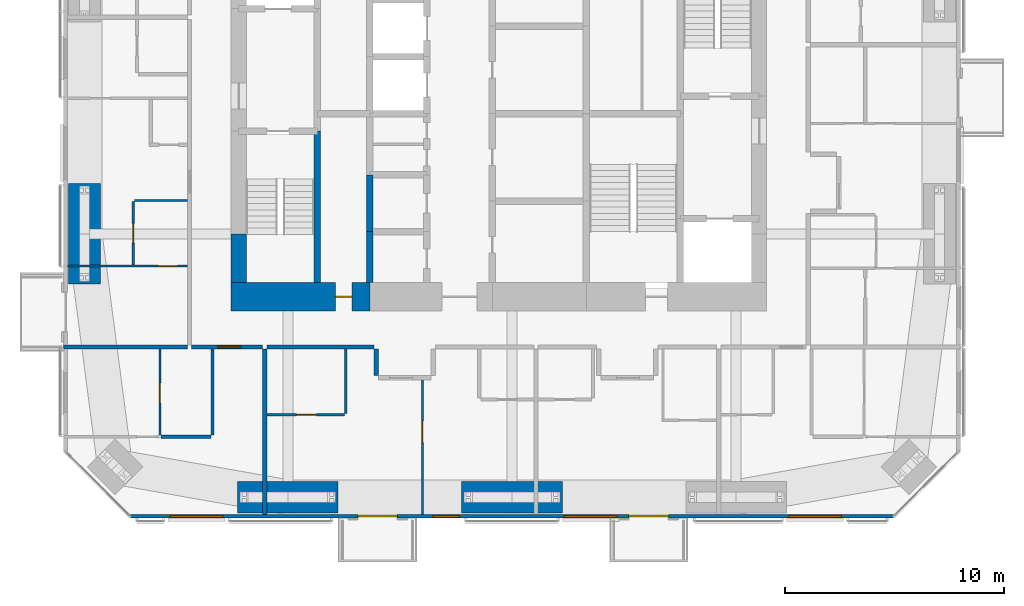
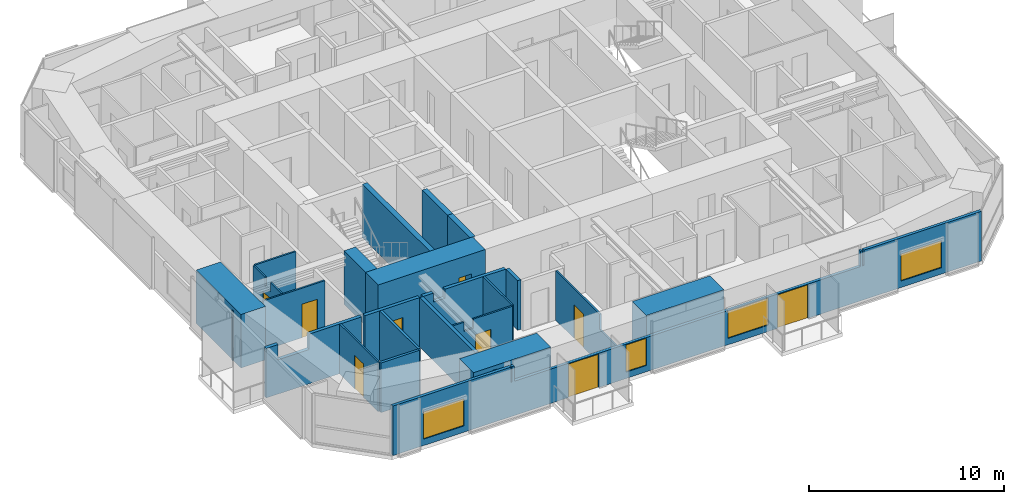
# One storey, part 15 of 23: 23 walls, 9 doors, 4 windows, 13 openings.
"""IFC4 building model written with IfcOpenShell, lengths in metres."""

from ifc_helpers import new_model, si_unit, direction, frame, frame_2d, origin, place, context, subcontext, project, spatial, polyline, rectangle, outline, extrude, material, layer, layer_set, constituent, constituent_set, type_object, element, fill, save


model = new_model("IFC4")

# Units and contexts
model_context = context("Model", 3, precision=1e-05, world=origin(), true_north=direction((0.0, 1.0)))
body_context = subcontext(model_context, "Body", "Model", "MODEL_VIEW")
ifc_project = project(units=[si_unit("LENGTHUNIT", "METRE"), si_unit("AREAUNIT", "SQUARE_METRE"), si_unit("VOLUMEUNIT", "CUBIC_METRE"), si_unit("PLANEANGLEUNIT", "RADIAN"), si_unit("MASSUNIT", "GRAM", prefix="KILO")], contexts=[model_context])

# Site, building, storey
site_placement = place(None, origin())
site = spatial("IfcSite", under=ifc_project, at=site_placement, CompositionType="ELEMENT")
building_placement = place(site_placement, origin())
building = spatial("IfcBuilding", under=site, at=building_placement, Name="Jalousie Tower", CompositionType="ELEMENT")
storey_placement = place(building_placement, frame((0.0, 0.0, 164.39990234375)))
storey = spatial("IfcBuildingStorey", under=building, at=storey_placement, Name="L44", CompositionType="ELEMENT", Elevation=164.39990234375)

# Walls
ifc_material_1 = material(Name="Concrete block ASTM C90", Category="concrete")
ifc_constituent_1 = constituent(ifc_material_1, Name="Body")
ifc_material_2 = material(Name="Render")
ifc_constituent_2 = constituent(ifc_material_2, Name="Finish")
ifc_constituent_set_1 = constituent_set(constituents=[ifc_constituent_1, ifc_constituent_2])
wall_type_1 = type_object("IfcWallType", Name="BATHROOM WALL 150", PredefinedType="PLUMBINGWALL", material=ifc_constituent_set_1)
wall_1_placement = place(storey_placement, frame((18.72509765625, 3.72119140625, 0.0), z_axis=(0.0, 0.0, 1.0), x_axis=(-1.0, 0.0, 0.0)))
element("IfcWall", 1, at=wall_1_placement, inside=storey, type_object=wall_type_1, Name="Bathroom Wall 150 L44", PredefinedType="PLUMBINGWALL", context=body_context, shape_type="SweptSolid", body=[
    extrude(rectangle(XDim=2.275146484375, YDim=0.14990234375, at=frame_2d((1.1376953125, 0.0))), origin(), (0.0, 0.0, 1.0), 3.110107421875),
])
wall_2_placement = place(storey_placement, frame((18.800048828125, 3.79638671875, 0.0), z_axis=(0.0, 0.0, 1.0), x_axis=(0.0, 1.0, 0.0)))
element("IfcWall", 2, at=wall_2_placement, inside=storey, type_object=wall_type_1, Name="Bathroom Wall 150 L44", PredefinedType="PLUMBINGWALL", context=body_context, shape_type="SweptSolid", body=[
    extrude(rectangle(XDim=3.9287109375, YDim=0.14990234375, at=frame_2d((1.96435546875, 0.0))), origin(), (0.0, 0.0, 1.0), 3.110107421875),
])

# Wall, opening, door
ifc_material_3 = material(Name="Concrete f'c 120 MPa", Category="concrete")
ifc_layer_1 = layer(ifc_material_3, 1.300048828125)
ifc_layer_set_1 = layer_set([ifc_layer_1], Name="Concrete f'c 120 MPa")
wall_type_2 = type_object("IfcWallType", Name="CORE WALL 1300", PredefinedType="SHEAR", material=ifc_layer_set_1)
wall_3_placement = place(storey_placement, frame((19.64990234375, 10.125, 0.0), z_axis=(0.0, 0.0, 1.0), x_axis=(1.0, 0.0, 0.0)))
wall_3 = element("IfcWall", 3, at=wall_3_placement, inside=storey, type_object=wall_type_2, Name="Core wall SA L44", PredefinedType="SHEAR", context=body_context, shape_type="SweptSolid", body=[
    extrude(rectangle(XDim=6.35009765625, YDim=1.300048828125, at=frame_2d((3.175048828125, 0.0))), origin(), (0.0, 0.0, 1.0), 3.35009765625),
])
opening_1_placement = place(wall_3_placement, frame((4.77490234375, 0.0, 0.0)))
opening_1 = element("IfcOpeningElement", 4, at=opening_1_placement, cuts=wall_3, Name="Opening D16", PredefinedType="OPENING", context=body_context, shape_type="SweptSolid", body=[
    extrude(rectangle(XDim=0.75, YDim=2.10009765625, at=frame_2d((0.375, 1.050048828125))), frame((0.0, 0.659912109375, 0.0), z_axis=(0.0, -1.0, 0.0), x_axis=(1.0, 0.0, 0.0)), (0.0, 0.0, 1.0), 1.320068359375),
])
ifc_material_4 = material(Name="Steel fire door", Category="steel")
door_type_1 = type_object("IfcDoorType", Name="RISER DOOR 750", OperationType="SINGLE_SWING_LEFT", PredefinedType="DOOR", material=ifc_material_4)
door_1_placement = place(opening_1_placement, origin())
door_1 = element("IfcDoor", 5, at=door_1_placement, inside=storey, type_object=door_type_1, Name="South riser door", OperationType="SINGLE_SWING_LEFT", OverallHeight=2.10009765625, OverallWidth=0.75, PredefinedType="DOOR", context=body_context, shape_type="SweptSolid", body=[
    extrude(rectangle(XDim=0.75, YDim=2.10009765625, at=frame_2d((0.375, 1.050048828125))), frame((0.0, 0.02490234375, 0.0), z_axis=(0.0, -1.0, 0.0), x_axis=(1.0, 0.0, 0.0)), (0.0, 0.0, 1.0), 0.050048828125),
])
fill(opening_1, door_1)

# Walls
ifc_material_5 = material(Name="Concrete f'c 120 MPa", Category="concrete")
ifc_layer_2 = layer(ifc_material_5, 0.300048828125)
ifc_layer_set_2 = layer_set([ifc_layer_2], Name="Concrete f'c 120 MPa")
wall_type_3 = type_object("IfcWallType", Name="CORE WALL 300", PredefinedType="SHEAR", material=ifc_layer_set_2)
wall_4_placement = place(storey_placement, frame((23.60009765625, 10.77490234375, 0.0), z_axis=(0.0, 0.0, 1.0), x_axis=(0.0, 1.0, 0.0)))
element("IfcWall", 6, at=wall_4_placement, inside=storey, type_object=wall_type_3, Name="Core wall X23.6A L44", PredefinedType="SHEAR", context=body_context, shape_type="SweptSolid", body=[
    extrude(rectangle(XDim=6.925048828125, YDim=0.300048828125, at=frame_2d((3.46240234375, 0.0))), origin(), (0.0, 0.0, 1.0), 3.35009765625),
])
wall_5_placement = place(storey_placement, frame((26.0, 10.77490234375, 0.0), z_axis=(0.0, 0.0, 1.0), x_axis=(0.0, 1.0, 0.0)))
element("IfcWall", 7, at=wall_5_placement, inside=storey, type_object=wall_type_3, Name="Core wall X26A L44", PredefinedType="SHEAR", context=body_context, shape_type="SweptSolid", body=[
    extrude(rectangle(XDim=2.3251953125, YDim=0.300048828125, at=frame_2d((1.16259765625, 0.0))), origin(), (0.0, 0.0, 1.0), 3.35009765625),
])
wall_6_placement = place(storey_placement, frame((26.0, 13.10009765625, 0.0), z_axis=(0.0, 0.0, 1.0), x_axis=(0.0, 1.0, 0.0)))
element("IfcWall", 8, at=wall_6_placement, inside=storey, type_object=wall_type_3, Name="Core wall X26B L44", PredefinedType="SHEAR", context=body_context, shape_type="SweptSolid", body=[
    extrude(rectangle(XDim=2.599853515625, YDim=0.300048828125, at=frame_2d((1.2998046875, 0.0))), origin(), (0.0, 0.0, 1.0), 3.35009765625),
])
ifc_material_6 = material(Name="Concrete f'c 120 MPa", Category="concrete")
ifc_layer_3 = layer(ifc_material_6, 0.699951171875)
ifc_layer_set_3 = layer_set([ifc_layer_3], Name="Concrete f'c 120 MPa")
wall_type_4 = type_object("IfcWallType", Name="CORE WALL 700", PredefinedType="SHEAR", material=ifc_layer_set_3)
wall_7_placement = place(storey_placement, frame((20.0, 13.0, 0.0), z_axis=(0.0, 0.0, 1.0), x_axis=(0.0, -1.0, 0.0)))
element("IfcWall", 9, at=wall_7_placement, inside=storey, type_object=wall_type_4, Name="Core wall WD L44", PredefinedType="SHEAR", context=body_context, shape_type="SweptSolid", body=[
    extrude(rectangle(XDim=2.22509765625, YDim=0.699951171875, at=frame_2d((1.112548828125, 0.0))), origin(), (0.0, 0.0, 1.0), 3.35009765625),
])

# Wall, opening, door
ifc_material_7 = material(Name="Concrete block ASTM C90", Category="concrete")
ifc_constituent_3 = constituent(ifc_material_7, Name="Body")
ifc_material_8 = material(Name="Render")
ifc_constituent_4 = constituent(ifc_material_8, Name="Finish")
ifc_constituent_set_2 = constituent_set(constituents=[ifc_constituent_3, ifc_constituent_4])
wall_type_5 = type_object("IfcWallType", Name="CORRIDOR WALL 200", PredefinedType="PARTITIONING", material=ifc_constituent_set_2)
wall_8_placement = place(storey_placement, frame((17.85009765625, 7.824951171875, 0.0), z_axis=(0.0, 0.0, 1.0), x_axis=(1.0, 0.0, 0.0)))
wall_8 = element("IfcWall", 10, at=wall_8_placement, inside=storey, type_object=wall_type_5, Name="Corridor Wall 200 L44", PredefinedType="PARTITIONING", context=body_context, shape_type="SweptSolid", body=[
    extrude(rectangle(XDim=3.25, YDim=0.199951171875, at=frame_2d((1.625, 0.0))), origin(), (0.0, 0.0, 1.0), 3.110107421875),
])
opening_2_placement = place(wall_8_placement, frame((1.199951171875, 0.0, 0.0)))
opening_2 = element("IfcOpeningElement", 11, at=opening_2_placement, cuts=wall_8, Name="Opening D1", PredefinedType="OPENING", context=body_context, shape_type="SweptSolid", body=[
    extrude(rectangle(XDim=1.050048828125, YDim=2.199951171875, at=frame_2d((0.52490234375, 1.10009765625))), frame((0.0, 0.10986328125, 0.0), z_axis=(0.0, -1.0, 0.0), x_axis=(1.0, 0.0, 0.0)), (0.0, 0.0, 1.0), 0.219970703125),
])
ifc_material_9 = material(Name="Timber fire door", Category="wood")
door_type_2 = type_object("IfcDoorType", Name="APARTMENT ENTRANCE DOOR 1050", OperationType="SINGLE_SWING_LEFT", PredefinedType="DOOR", material=ifc_material_9)
door_2_placement = place(opening_2_placement, frame((1.050048828125, 0.0, 0.0), z_axis=(0.0, 0.0, 1.0), x_axis=(-1.0, 0.0, 0.0)))
door_2 = element("IfcDoor", 12, at=door_2_placement, inside=storey, type_object=door_type_2, Name="Apartment 4401 entrance", OperationType="SINGLE_SWING_RIGHT", OverallHeight=2.199951171875, OverallWidth=1.050048828125, PredefinedType="DOOR", context=body_context, shape_type="SweptSolid", body=[
    extrude(rectangle(XDim=1.050048828125, YDim=2.199951171875, at=frame_2d((0.52490234375, 1.10009765625))), frame((0.0, 0.02490234375, 0.0), z_axis=(0.0, -1.0, 0.0), x_axis=(1.0, 0.0, 0.0)), (0.0, 0.0, 1.0), 0.050048828125),
])
fill(opening_2, door_2)

# Walls
wall_9_placement = place(storey_placement, frame((21.300048828125, 7.824951171875, 0.0), z_axis=(0.0, 0.0, 1.0), x_axis=(1.0, 0.0, 0.0)))
element("IfcWall", 13, at=wall_9_placement, inside=storey, type_object=wall_type_5, Name="Corridor Wall 200 L44", PredefinedType="PARTITIONING", context=body_context, shape_type="SweptSolid", body=[
    extrude(outline(polyline([(0.0, 0.0), (4.89990234375, 0.0), (4.89990234375, 3.110107421875), (1.287353515625, 3.110107421875), (1.287353515625, 2.541015625), (0.612548828125, 2.541015625), (0.612548828125, 3.110107421875), (0.0, 3.110107421875), (0.0, 0.0)])), frame((0.0, 0.10009765625, 0.0), z_axis=(0.0, -1.0, 0.0), x_axis=(1.0, 0.0, 0.0)), (0.0, 0.0, 1.0), 0.199951171875),
])
wall_10_placement = place(storey_placement, frame((26.300048828125, 7.72509765625, 0.0), z_axis=(0.0, 0.0, 1.0), x_axis=(0.0, -1.0, 0.0)))
element("IfcWall", 14, at=wall_10_placement, inside=storey, type_object=wall_type_5, Name="Corridor Wall 200 L44", PredefinedType="PARTITIONING", context=body_context, shape_type="SweptSolid", body=[
    extrude(rectangle(XDim=1.2001953125, YDim=0.199951171875, at=frame_2d((0.60009765625, 0.0))), origin(), (0.0, 0.0, 1.0), 3.110107421875),
])

# Wall, openings, doors, windows
ifc_material_10 = material(Name="Concrete f'c 40 MPa", Category="concrete")
ifc_constituent_5 = constituent(ifc_material_10, Name="Body")
ifc_material_11 = material(Name="Render, pastel lemon")
ifc_constituent_6 = constituent(ifc_material_11, Name="Finish")
ifc_constituent_set_3 = constituent_set(constituents=[ifc_constituent_5, ifc_constituent_6])
wall_type_6 = type_object("IfcWallType", Name="EXTERNAL WALL 175 LEMON RENDER", PredefinedType="SOLIDWALL", material=ifc_constituent_set_3)
wall_11_placement = place(storey_placement, frame((15.05126953125, 0.08740234375, 0.0), z_axis=(0.0, 0.0, 1.0), x_axis=(1.0, 0.0, 0.0)))
wall_11 = element("IfcWall", 15, at=wall_11_placement, inside=storey, type_object=wall_type_6, Name="External Wall 175 Lemon Render L44", PredefinedType="SOLIDWALL", context=body_context, shape_type="SweptSolid", body=[
    extrude(outline(polyline([(0.0, 0.0), (34.8974609375, 0.0), (34.8974609375, 3.110107421875), (27.91015625, 3.110107421875), (27.91015625, 2.150146484375), (27.8359375, 2.150146484375), (27.8359375, 3.110107421875), (27.69873046875, 3.110107421875), (27.69873046875, 2.150146484375), (7.19873046875, 2.150146484375), (7.19873046875, 3.110107421875), (7.0615234375, 3.110107421875), (7.0615234375, 2.150146484375), (6.9873046875, 2.150146484375), (6.9873046875, 3.110107421875), (0.0, 3.110107421875), (0.0, 0.0)])), frame((0.0, 0.08740234375, 0.0), z_axis=(0.0, -1.0, 0.0), x_axis=(1.0, 0.0, 0.0)), (0.0, 0.0, 1.0), 0.175048828125),
])
opening_3_placement = place(wall_11_placement, frame((1.824462890625, 0.0, 0.39990234375)))
opening_3 = element("IfcOpeningElement", 16, at=opening_3_placement, cuts=wall_11, Name="Opening W-LIV170", PredefinedType="OPENING", context=body_context, shape_type="SweptSolid", body=[
    extrude(rectangle(XDim=2.39990234375, YDim=1.699951171875, at=frame_2d((1.199951171875, 0.85009765625))), frame((0.0, 0.097412109375, 0.0), z_axis=(0.0, -1.0, 0.0), x_axis=(1.0, 0.0, 0.0)), (0.0, 0.0, 1.0), 0.195068359375),
])
opening_4_placement = place(wall_11_placement, frame((10.398681640625, 0.0, 0.0)))
opening_4 = element("IfcOpeningElement", 17, at=opening_4_placement, cuts=wall_11, Name="Opening D-BAL21", PredefinedType="OPENING", context=body_context, shape_type="SweptSolid", body=[
    extrude(rectangle(XDim=1.800048828125, YDim=2.10009765625, at=frame_2d((0.89990234375, 1.050048828125))), frame((0.0, 0.097412109375, 0.0), z_axis=(0.0, -1.0, 0.0), x_axis=(1.0, 0.0, 0.0)), (0.0, 0.0, 1.0), 0.195068359375),
])
opening_5_placement = place(wall_11_placement, frame((13.827392578125, 0.0, 0.39990234375)))
opening_5 = element("IfcOpeningElement", 18, at=opening_5_placement, cuts=wall_11, Name="Opening W-COR170", PredefinedType="OPENING", context=body_context, shape_type="SweptSolid", body=[
    extrude(rectangle(XDim=1.199951171875, YDim=1.699951171875, at=frame_2d((0.60009765625, 0.85009765625))), frame((0.0, 0.097412109375, 0.0), z_axis=(0.0, -1.0, 0.0), x_axis=(1.0, 0.0, 0.0)), (0.0, 0.0, 1.0), 0.195068359375),
])
opening_6_placement = place(wall_11_placement, frame((22.798583984375, 0.0, 0.0)))
opening_6 = element("IfcOpeningElement", 19, at=opening_6_placement, cuts=wall_11, Name="Opening D-BAL21", PredefinedType="OPENING", context=body_context, shape_type="SweptSolid", body=[
    extrude(rectangle(XDim=1.800048828125, YDim=2.10009765625, at=frame_2d((0.89990234375, 1.050048828125))), frame((0.0, 0.097412109375, 0.0), z_axis=(0.0, -1.0, 0.0), x_axis=(1.0, 0.0, 0.0)), (0.0, 0.0, 1.0), 0.195068359375),
])
opening_7_placement = place(wall_11_placement, frame((19.8486328125, 0.0, 0.39990234375)))
opening_7 = element("IfcOpeningElement", 20, at=opening_7_placement, cuts=wall_11, Name="Opening W-LIV170", PredefinedType="OPENING", context=body_context, shape_type="SweptSolid", body=[
    extrude(rectangle(XDim=2.39990234375, YDim=1.699951171875, at=frame_2d((1.199951171875, 0.85009765625))), frame((0.0, 0.097412109375, 0.0), z_axis=(0.0, -1.0, 0.0), x_axis=(1.0, 0.0, 0.0)), (0.0, 0.0, 1.0), 0.195068359375),
])
opening_8_placement = place(wall_11_placement, frame((30.10791015625, 0.0, 0.39990234375)))
opening_8 = element("IfcOpeningElement", 21, at=opening_8_placement, cuts=wall_11, Name="Opening W-LIV170", PredefinedType="OPENING", context=body_context, shape_type="SweptSolid", body=[
    extrude(rectangle(XDim=2.39990234375, YDim=1.699951171875, at=frame_2d((1.199951171875, 0.85009765625))), frame((0.0, 0.097412109375, 0.0), z_axis=(0.0, -1.0, 0.0), x_axis=(1.0, 0.0, 0.0)), (0.0, 0.0, 1.0), 0.195068359375),
])
ifc_material_12 = material(Name="Aluminium frame, impact-rated glazing", Category="aluminium")
door_type_3 = type_object("IfcDoorType", Name="BALCONY DOOR 1800x2100", OperationType="SLIDING_TO_LEFT", PredefinedType="DOOR", material=ifc_material_12)
door_3_placement = place(opening_4_placement, origin())
door_3 = element("IfcDoor", 22, at=door_3_placement, inside=storey, type_object=door_type_3, Name="Apartment 4402 studio living and sleeping room balcony door", OperationType="SLIDING_TO_LEFT", OverallHeight=2.10009765625, OverallWidth=1.800048828125, PredefinedType="DOOR", context=body_context, shape_type="SweptSolid", body=[
    extrude(rectangle(XDim=1.800048828125, YDim=2.10009765625, at=frame_2d((0.89990234375, 1.050048828125))), frame((0.0, 0.02490234375, 0.0), z_axis=(0.0, -1.0, 0.0), x_axis=(1.0, 0.0, 0.0)), (0.0, 0.0, 1.0), 0.050048828125),
])
fill(opening_4, door_3)
door_4_placement = place(opening_6_placement, origin())
door_4 = element("IfcDoor", 23, at=door_4_placement, inside=storey, type_object=door_type_3, Name="Apartment 4403 studio living and sleeping room balcony door", OperationType="SLIDING_TO_LEFT", OverallHeight=2.10009765625, OverallWidth=1.800048828125, PredefinedType="DOOR", context=body_context, shape_type="SweptSolid", body=[
    extrude(rectangle(XDim=1.800048828125, YDim=2.10009765625, at=frame_2d((0.89990234375, 1.050048828125))), frame((0.0, 0.02490234375, 0.0), z_axis=(0.0, -1.0, 0.0), x_axis=(1.0, 0.0, 0.0)), (0.0, 0.0, 1.0), 0.050048828125),
])
fill(opening_6, door_4)
ifc_material_13 = material(Name="Aluminium frame, impact-rated glazing", Category="aluminium")
window_type_1 = type_object("IfcWindowType", Name="WINDOW COR 1200x1700", PartitioningType="SINGLE_PANEL", PredefinedType="WINDOW", material=ifc_material_13)
window_1_placement = place(opening_5_placement, origin())
window_1 = element("IfcWindow", 24, at=window_1_placement, inside=storey, type_object=window_type_1, Name="Apartment 4402 dining room window", OverallHeight=1.699951171875, OverallWidth=1.199951171875, PartitioningType="SINGLE_PANEL", PredefinedType="WINDOW", context=body_context, shape_type="SweptSolid", body=[
    extrude(rectangle(XDim=1.199951171875, YDim=1.699951171875, at=frame_2d((0.60009765625, 0.85009765625))), frame((0.0, 0.030029296875, 0.0), z_axis=(0.0, -1.0, 0.0), x_axis=(1.0, 0.0, 0.0)), (0.0, 0.0, 1.0), 0.06005859375),
])
fill(opening_5, window_1)
ifc_material_14 = material(Name="Aluminium frame, impact-rated glazing", Category="aluminium")
window_type_2 = type_object("IfcWindowType", Name="WINDOW LIV 2400x1700", PartitioningType="DOUBLE_PANEL_VERTICAL", PredefinedType="WINDOW", material=ifc_material_14)
window_2_placement = place(opening_3_placement, origin())
window_2 = element("IfcWindow", 25, at=window_2_placement, inside=storey, type_object=window_type_2, Name="Apartment 4401 living, dining and kitchen window", OverallHeight=1.699951171875, OverallWidth=2.39990234375, PartitioningType="SINGLE_PANEL", PredefinedType="WINDOW", context=body_context, shape_type="SweptSolid", body=[
    extrude(rectangle(XDim=2.39990234375, YDim=1.699951171875, at=frame_2d((1.199951171875, 0.85009765625))), frame((0.0, 0.030029296875, 0.0), z_axis=(0.0, -1.0, 0.0), x_axis=(1.0, 0.0, 0.0)), (0.0, 0.0, 1.0), 0.06005859375),
])
fill(opening_3, window_2)
window_3_placement = place(opening_7_placement, origin())
window_3 = element("IfcWindow", 26, at=window_3_placement, inside=storey, type_object=window_type_2, Name="Apartment 4403 studio living and sleeping room window", OverallHeight=1.699951171875, OverallWidth=2.39990234375, PartitioningType="SINGLE_PANEL", PredefinedType="WINDOW", context=body_context, shape_type="SweptSolid", body=[
    extrude(rectangle(XDim=2.39990234375, YDim=1.699951171875, at=frame_2d((1.199951171875, 0.85009765625))), frame((0.0, 0.030029296875, 0.0), z_axis=(0.0, -1.0, 0.0), x_axis=(1.0, 0.0, 0.0)), (0.0, 0.0, 1.0), 0.06005859375),
])
fill(opening_7, window_3)
window_4_placement = place(opening_8_placement, origin())
window_4 = element("IfcWindow", 27, at=window_4_placement, inside=storey, type_object=window_type_2, Name="Apartment 4404 living and dining room window", OverallHeight=1.699951171875, OverallWidth=2.39990234375, PartitioningType="SINGLE_PANEL", PredefinedType="WINDOW", context=body_context, shape_type="SweptSolid", body=[
    extrude(rectangle(XDim=2.39990234375, YDim=1.699951171875, at=frame_2d((1.199951171875, 0.85009765625))), frame((0.0, 0.030029296875, 0.0), z_axis=(0.0, -1.0, 0.0), x_axis=(1.0, 0.0, 0.0)), (0.0, 0.0, 1.0), 0.06005859375),
])
fill(opening_8, window_4)

# Wall, opening, door
ifc_material_15 = material(Name="Gypsum board", Category="gypsum")
ifc_constituent_7 = constituent(ifc_material_15, Name="Body")
ifc_material_16 = material(Name="Light-gauge steel studs ASTM A653 SS Grade 33", Category="steel")
ifc_constituent_8 = constituent(ifc_material_16, Name="Framing")
ifc_constituent_set_4 = constituent_set(constituents=[ifc_constituent_7, ifc_constituent_8])
wall_type_7 = type_object("IfcWallType", Name="PARTITION 100", PredefinedType="PARTITIONING", material=ifc_constituent_set_4)
wall_12_placement = place(storey_placement, frame((16.39990234375, 3.79638671875, 0.0), z_axis=(0.0, 0.0, 1.0), x_axis=(0.0, 1.0, 0.0)))
wall_12 = element("IfcWall", 28, at=wall_12_placement, inside=storey, type_object=wall_type_7, Name="Partition 100 L44", PredefinedType="PARTITIONING", context=body_context, shape_type="SweptSolid", body=[
    extrude(rectangle(XDim=3.9287109375, YDim=0.10009765625, at=frame_2d((1.96435546875, 0.0))), origin(), (0.0, 0.0, 1.0), 3.110107421875),
])
opening_9_placement = place(wall_12_placement, frame((1.476806640625, 0.0, 0.0)))
opening_9 = element("IfcOpeningElement", 29, at=opening_9_placement, cuts=wall_12, Name="Opening D3", PredefinedType="OPENING", context=body_context, shape_type="SweptSolid", body=[
    extrude(rectangle(XDim=0.89990234375, YDim=2.10009765625, at=frame_2d((0.449951171875, 1.050048828125))), frame((0.0, 0.06005859375, 0.0), z_axis=(0.0, -1.0, 0.0), x_axis=(1.0, 0.0, 0.0)), (0.0, 0.0, 1.0), 0.1201171875),
])
ifc_material_17 = material(Name="Timber door", Category="wood")
door_type_4 = type_object("IfcDoorType", Name="BATHROOM DOOR 900", OperationType="SINGLE_SWING_LEFT", PredefinedType="DOOR", material=ifc_material_17)
door_5_placement = place(opening_9_placement, frame((0.89990234375, 0.0, 0.0), z_axis=(0.0, 0.0, 1.0), x_axis=(-1.0, 0.0, 0.0)))
door_5 = element("IfcDoor", 30, at=door_5_placement, inside=storey, type_object=door_type_4, Name="Apartment 4401 bedroom 1 bathroom door", OperationType="SINGLE_SWING_RIGHT", OverallHeight=2.10009765625, OverallWidth=0.89990234375, PredefinedType="DOOR", context=body_context, shape_type="SweptSolid", body=[
    extrude(rectangle(XDim=0.89990234375, YDim=2.10009765625, at=frame_2d((0.449951171875, 1.050048828125))), frame((0.0, 0.02490234375, 0.0), z_axis=(0.0, -1.0, 0.0), x_axis=(1.0, 0.0, 0.0)), (0.0, 0.0, 1.0), 0.050048828125),
])
fill(opening_9, door_5)

wall_13_placement = place(storey_placement, frame((21.300048828125, 4.72509765625, 0.0), z_axis=(0.0, 0.0, 1.0), x_axis=(1.0, 0.0, 0.0)))
wall_13 = element("IfcWall", 31, at=wall_13_placement, inside=storey, type_object=wall_type_7, Name="Partition 100 L44", PredefinedType="PARTITIONING", context=body_context, shape_type="SweptSolid", body=[
    extrude(outline(polyline([(0.0, 0.0), (3.550048828125, 0.0), (3.550048828125, 3.110107421875), (1.2373046875, 3.110107421875), (1.2373046875, 2.541015625), (0.66259765625, 2.541015625), (0.66259765625, 3.110107421875), (0.0, 3.110107421875), (0.0, 0.0)])), frame((0.0, 0.050048828125, 0.0), z_axis=(0.0, -1.0, 0.0), x_axis=(1.0, 0.0, 0.0)), (0.0, 0.0, 1.0), 0.10009765625),
])
opening_10_placement = place(wall_13_placement, frame((1.35009765625, 0.0, 0.0)))
opening_10 = element("IfcOpeningElement", 32, at=opening_10_placement, cuts=wall_13, Name="Opening D7", PredefinedType="OPENING", context=body_context, shape_type="SweptSolid", body=[
    extrude(rectangle(XDim=0.89990234375, YDim=2.10009765625, at=frame_2d((0.449951171875, 1.050048828125))), frame((0.0, 0.06005859375, 0.0), z_axis=(0.0, -1.0, 0.0), x_axis=(1.0, 0.0, 0.0)), (0.0, 0.0, 1.0), 0.1201171875),
])
ifc_material_18 = material(Name="Timber door", Category="wood")
door_type_5 = type_object("IfcDoorType", Name="INTERNAL DOOR 900", OperationType="SINGLE_SWING_LEFT", PredefinedType="DOOR", material=ifc_material_18)
door_6_placement = place(opening_10_placement, origin())
door_6 = element("IfcDoor", 33, at=door_6_placement, inside=storey, type_object=door_type_5, Name="Apartment 4402 kitchen door", OperationType="SINGLE_SWING_RIGHT", OverallHeight=2.10009765625, OverallWidth=0.89990234375, PredefinedType="DOOR", context=body_context, shape_type="SweptSolid", body=[
    extrude(rectangle(XDim=0.89990234375, YDim=2.10009765625, at=frame_2d((0.449951171875, 1.050048828125))), frame((0.0, 0.02490234375, 0.0), z_axis=(0.0, -1.0, 0.0), x_axis=(1.0, 0.0, 0.0)), (0.0, 0.0, 1.0), 0.050048828125),
])
fill(opening_10, door_6)

# Wall
wall_14_placement = place(storey_placement, frame((24.89990234375, 4.77490234375, 0.0), z_axis=(0.0, 0.0, 1.0), x_axis=(0.0, 1.0, 0.0)))
element("IfcWall", 34, at=wall_14_placement, inside=storey, type_object=wall_type_7, Name="Partition 100 L44", PredefinedType="PARTITIONING", context=body_context, shape_type="SweptSolid", body=[
    extrude(rectangle(XDim=2.9501953125, YDim=0.10009765625, at=frame_2d((1.47509765625, 0.0))), origin(), (0.0, 0.0, 1.0), 3.110107421875),
])

# Wall, opening, door
wall_15_placement = place(storey_placement, frame((28.39990234375, 0.175048828125, 0.0), z_axis=(0.0, 0.0, 1.0), x_axis=(0.0, 1.0, 0.0)))
wall_15 = element("IfcWall", 35, at=wall_15_placement, inside=storey, type_object=wall_type_7, Name="Partition 100 L44", PredefinedType="PARTITIONING", context=body_context, shape_type="SweptSolid", body=[
    extrude(outline(polyline([(0.0, 0.0), (6.14990234375, 0.0), (6.14990234375, 3.110107421875), (1.635009765625, 3.110107421875), (1.635009765625, 2.150146484375), (0.0, 2.150146484375), (0.0, 3.110107421875), (0.0, 0.0)])), frame((0.0, 0.050048828125, 0.0), z_axis=(0.0, -1.0, 0.0), x_axis=(1.0, 0.0, 0.0)), (0.0, 0.0, 1.0), 0.10009765625),
])
opening_11_placement = place(wall_15_placement, frame((3.27490234375, 0.0, 0.0)))
opening_11 = element("IfcOpeningElement", 36, at=opening_11_placement, cuts=wall_15, Name="Opening D6", PredefinedType="OPENING", context=body_context, shape_type="SweptSolid", body=[
    extrude(rectangle(XDim=1.0, YDim=2.10009765625, at=frame_2d((0.5, 1.050048828125))), frame((0.0, 0.06005859375, 0.0), z_axis=(0.0, -1.0, 0.0), x_axis=(1.0, 0.0, 0.0)), (0.0, 0.0, 1.0), 0.1201171875),
])
ifc_material_19 = material(Name="Timber door", Category="wood")
door_type_6 = type_object("IfcDoorType", Name="INTERNAL DOOR 1000", OperationType="SINGLE_SWING_LEFT", PredefinedType="DOOR", material=ifc_material_19)
door_7_placement = place(opening_11_placement, frame((1.0, 0.0, 0.0), z_axis=(0.0, 0.0, 1.0), x_axis=(-1.0, 0.0, 0.0)))
door_7 = element("IfcDoor", 37, at=door_7_placement, inside=storey, type_object=door_type_6, Name="Apartment 4402 dining room door", OperationType="SINGLE_SWING_LEFT", OverallHeight=2.10009765625, OverallWidth=1.0, PredefinedType="DOOR", context=body_context, shape_type="SweptSolid", body=[
    extrude(rectangle(XDim=1.0, YDim=2.10009765625, at=frame_2d((0.5, 1.050048828125))), frame((0.0, 0.02490234375, 0.0), z_axis=(0.0, -1.0, 0.0), x_axis=(1.0, 0.0, 0.0)), (0.0, 0.0, 1.0), 0.050048828125),
])
fill(opening_11, door_7)

wall_16_placement = place(storey_placement, frame((12.175048828125, 11.52490234375, 0.0), z_axis=(0.0, 0.0, 1.0), x_axis=(1.0, 0.0, 0.0)))
wall_16 = element("IfcWall", 38, at=wall_16_placement, inside=storey, type_object=wall_type_7, Name="Partition 100 L44", PredefinedType="PARTITIONING", context=body_context, shape_type="SweptSolid", body=[
    extrude(outline(polyline([(0.101318359375, 3.110107421875), (0.0, 3.110107421875), (0.0, 0.0), (0.52880859375, 0.0), (0.52880859375, 0.269287109375), (1.021240234375, 0.269287109375), (1.021240234375, 0.0), (5.47509765625, 0.0), (5.47509765625, 3.110107421875), (1.8359375, 3.110107421875), (1.8359375, 2.150146484375), (1.021240234375, 2.150146484375), (1.021240234375, 1.880859375), (0.52880859375, 1.880859375), (0.52880859375, 2.150146484375), (0.101318359375, 2.150146484375), (0.101318359375, 3.110107421875)])), frame((0.0, 0.050048828125, 0.0), z_axis=(0.0, -1.0, 0.0), x_axis=(1.0, 0.0, 0.0)), (0.0, 0.0, 1.0), 0.10009765625),
])
opening_12_placement = place(wall_16_placement, frame((4.125, 0.0, 0.0)))
opening_12 = element("IfcOpeningElement", 39, at=opening_12_placement, cuts=wall_16, Name="Opening D2", PredefinedType="OPENING", context=body_context, shape_type="SweptSolid", body=[
    extrude(rectangle(XDim=0.89990234375, YDim=2.10009765625, at=frame_2d((0.449951171875, 1.050048828125))), frame((0.0, 0.06005859375, 0.0), z_axis=(0.0, -1.0, 0.0), x_axis=(1.0, 0.0, 0.0)), (0.0, 0.0, 1.0), 0.1201171875),
])
ifc_material_20 = material(Name="Timber door", Category="wood")
door_type_7 = type_object("IfcDoorType", Name="BEDROOM DOOR 900", OperationType="SINGLE_SWING_LEFT", PredefinedType="DOOR", material=ifc_material_20)
door_8_placement = place(opening_12_placement, frame((0.89990234375, 0.0, 0.0), z_axis=(0.0, 0.0, 1.0), x_axis=(-1.0, 0.0, 0.0)))
door_8 = element("IfcDoor", 40, at=door_8_placement, inside=storey, type_object=door_type_7, Name="Apartment 4408 bedroom 1 door", OperationType="SINGLE_SWING_LEFT", OverallHeight=2.10009765625, OverallWidth=0.89990234375, PredefinedType="DOOR", context=body_context, shape_type="SweptSolid", body=[
    extrude(rectangle(XDim=0.89990234375, YDim=2.10009765625, at=frame_2d((0.449951171875, 1.050048828125))), frame((0.0, 0.02490234375, 0.0), z_axis=(0.0, -1.0, 0.0), x_axis=(1.0, 0.0, 0.0)), (0.0, 0.0, 1.0), 0.050048828125),
])
fill(opening_12, door_8)

wall_17_placement = place(storey_placement, frame((15.175048828125, 11.574951171875, 0.0), z_axis=(0.0, 0.0, 1.0), x_axis=(0.0, 1.0, 0.0)))
wall_17 = element("IfcWall", 41, at=wall_17_placement, inside=storey, type_object=wall_type_7, Name="Partition 100 L44", PredefinedType="PARTITIONING", context=body_context, shape_type="SweptSolid", body=[
    extrude(outline(polyline([(0.0, 0.0), (2.900146484375, 0.0), (2.89990234375, 3.110107421875), (1.71240234375, 3.110107421875), (1.71240234375, 2.541015625), (1.1376953125, 2.541015625), (1.1376953125, 3.110107421875), (0.0, 3.110107421875), (0.0, 0.0)])), frame((0.0, 0.050048828125, 0.0), z_axis=(0.0, -1.0, 0.0), x_axis=(1.0, 0.0, 0.0)), (0.0, 0.0, 1.0), 0.10009765625),
])
opening_13_placement = place(wall_17_placement, frame((1.0, 0.0, 0.0)))
opening_13 = element("IfcOpeningElement", 42, at=opening_13_placement, cuts=wall_17, Name="Opening D7", PredefinedType="OPENING", context=body_context, shape_type="SweptSolid", body=[
    extrude(rectangle(XDim=0.89990234375, YDim=2.10009765625, at=frame_2d((0.449951171875, 1.050048828125))), frame((0.0, 0.06005859375, 0.0), z_axis=(0.0, -1.0, 0.0), x_axis=(1.0, 0.0, 0.0)), (0.0, 0.0, 1.0), 0.1201171875),
])
door_9_placement = place(opening_13_placement, origin())
door_9 = element("IfcDoor", 43, at=door_9_placement, inside=storey, type_object=door_type_5, Name="Apartment 4408 kitchen door", OperationType="SINGLE_SWING_LEFT", OverallHeight=2.10009765625, OverallWidth=0.89990234375, PredefinedType="DOOR", context=body_context, shape_type="SweptSolid", body=[
    extrude(rectangle(XDim=0.89990234375, YDim=2.10009765625, at=frame_2d((0.449951171875, 1.050048828125))), frame((0.0, 0.02490234375, 0.0), z_axis=(0.0, -1.0, 0.0), x_axis=(1.0, 0.0, 0.0)), (0.0, 0.0, 1.0), 0.050048828125),
])
fill(opening_13, door_9)

# Walls
wall_18_placement = place(storey_placement, frame((15.22509765625, 14.52490234375, 0.0), z_axis=(0.0, 0.0, 1.0), x_axis=(1.0, 0.0, 0.0)))
element("IfcWall", 44, at=wall_18_placement, inside=storey, type_object=wall_type_7, Name="Partition 100 L44", PredefinedType="PARTITIONING", context=body_context, shape_type="SweptSolid", body=[
    extrude(rectangle(XDim=2.4248046875, YDim=0.10009765625, at=frame_2d((1.21240234375, 0.0))), origin(), (0.0, 0.0, 1.0), 3.110107421875),
])
ifc_material_21 = material(Name="Concrete block ASTM C90", Category="concrete")
ifc_constituent_9 = constituent(ifc_material_21, Name="Body")
ifc_material_22 = material(Name="Render")
ifc_constituent_10 = constituent(ifc_material_22, Name="Finish")
ifc_constituent_set_5 = constituent_set(constituents=[ifc_constituent_9, ifc_constituent_10])
wall_type_8 = type_object("IfcWallType", Name="PARTY WALL 200", PredefinedType="PARTITIONING", material=ifc_constituent_set_5)
wall_19_placement = place(storey_placement, frame((21.199951171875, 0.175048828125, 0.0), z_axis=(0.0, 0.0, 1.0), x_axis=(0.0, 1.0, 0.0)))
element("IfcWall", 45, at=wall_19_placement, inside=storey, type_object=wall_type_8, Name="Party Wall 200 L44", PredefinedType="PARTITIONING", context=body_context, shape_type="SweptSolid", body=[
    extrude(outline(polyline([(0.03662109375, 3.110107421875), (0.0, 3.110107421875), (0.0, 0.0), (0.52880859375, 0.0), (0.52880859375, 0.667236328125), (1.021240234375, 0.667236328125), (1.021240234375, 0.0), (7.550048828125, 0.0), (7.550048828125, 3.110107421875), (1.885009765625, 3.110107421875), (1.885009765625, 2.150146484375), (1.021240234375, 2.150146484375), (1.021240234375, 1.48291015625), (0.52880859375, 1.48291015625), (0.52880859375, 2.150146484375), (0.03662109375, 2.150146484375), (0.03662109375, 3.110107421875)])), frame((0.0, 0.10009765625, 0.0), z_axis=(0.0, -1.0, 0.0), x_axis=(1.0, 0.0, 0.0)), (0.0, 0.0, 1.0), 0.199951171875),
])
wall_20_placement = place(storey_placement, frame((12.0, 7.824951171875, 0.0), z_axis=(0.0, 0.0, 1.0), x_axis=(1.0, 0.0, 0.0)))
element("IfcWall", 46, at=wall_20_placement, inside=storey, type_object=wall_type_8, Name="Party Wall 200 L44", PredefinedType="PARTITIONING", context=body_context, shape_type="SweptSolid", body=[
    extrude(outline(polyline([(0.0, 0.0), (5.64990234375, 0.0), (5.64990234375, 3.110107421875), (2.54736328125, 3.110107421875), (2.54736328125, 2.150146484375), (0.711669921875, 2.150146484375), (0.711669921875, 3.110107421875), (0.0, 3.110107421875), (0.0, 0.0)])), frame((0.0, 0.10009765625, 0.0), z_axis=(0.0, -1.0, 0.0), x_axis=(1.0, 0.0, 0.0)), (0.0, 0.0, 1.0), 0.199951171875),
])
ifc_material_23 = material(Name="Concrete f'c 120 MPa", Category="concrete")
ifc_layer_4 = layer(ifc_material_23, 1.449951171875)
ifc_layer_set_4 = layer_set([ifc_layer_4], Name="Concrete f'c 120 MPa")
wall_type_9 = type_object("IfcWallType", Name="RC WALL PIER 1450", PredefinedType="SHEAR", material=ifc_layer_set_4)
for number, where, z_axis, x_axis, name in (
    (47, (19.949951171875, 0.949951171875, 0.0), (0.0, 0.0, 1.0), (1.0, 0.0, 0.0), "Wall pier 02 L44"),
    (48, (30.199951171875, 0.949951171875, 0.0), (0.0, 0.0, 1.0), (1.0, 0.0, 0.0), "Wall pier 03 L44"),
    (49, (12.949951171875, 10.699951171875, 0.0), (0.0, 0.0, 1.0), (0.0, 1.0, 0.0), "Wall pier 14 L44"),
):
    element("IfcWall", number, at=place(storey_placement, frame(where, z_axis=z_axis, x_axis=x_axis)), inside=storey, type_object=wall_type_9, Name=name, PredefinedType="SHEAR", context=body_context, shape_type="SweptSolid", body=[
        extrude(rectangle(XDim=4.60009765625, YDim=1.449951171875, at=frame_2d((2.300048828125, 0.0))), origin(), (0.0, 0.0, 1.0), 3.35009765625),
    ])

save(model, "model.ifc")
